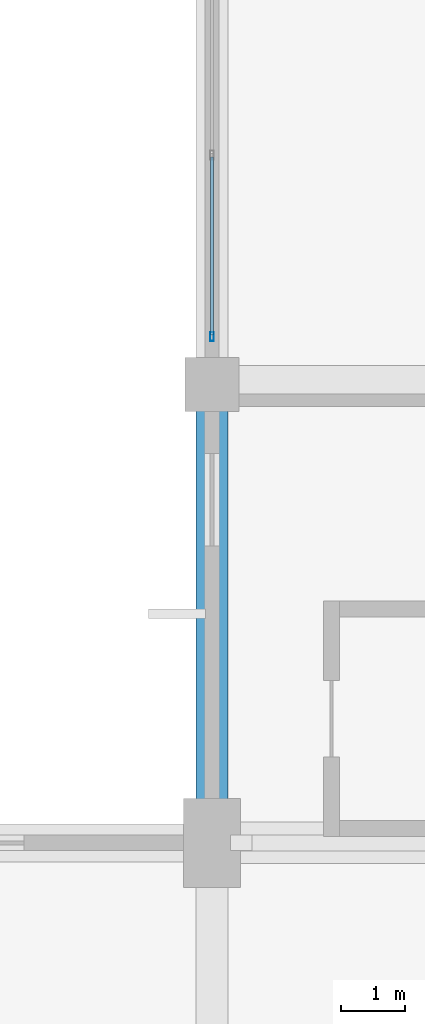
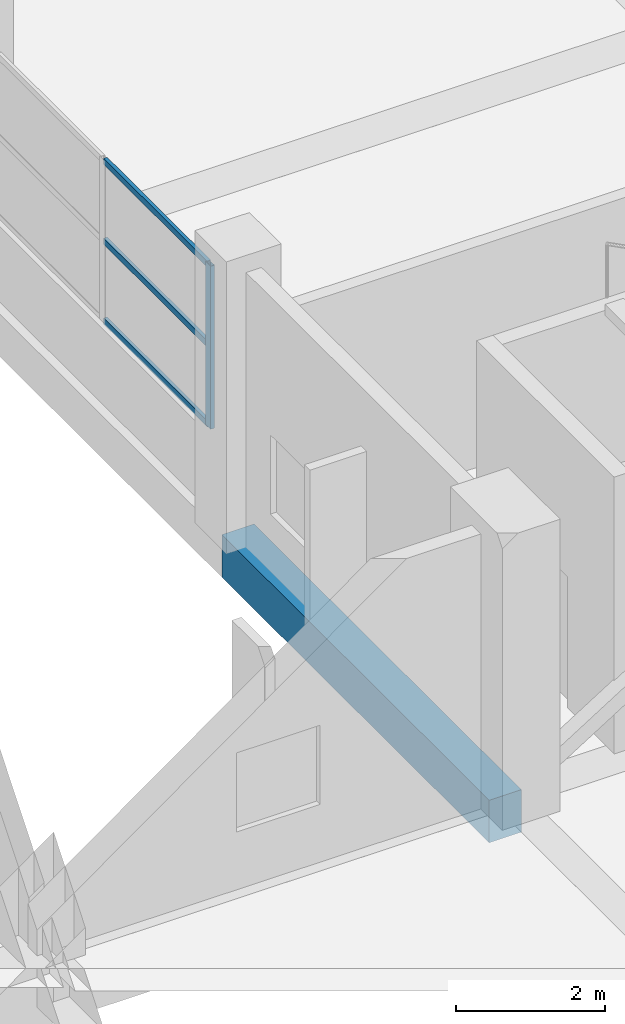
# One storey, part 65 of 181: 4 members, 1 beam, 1 element without a shape of its own.
"""IFC4 building model written with IfcOpenShell, lengths in metres."""

from ifc_helpers import new_model, si_unit, direction, frame, origin, origin_2d, place, context, subcontext, project, spatial, rectangle, hollow_rectangle, extrude, material, layer, layer_set, material_profile, profile_set, type_object, element, aggregate, save


model = new_model("IFC4")

# Units and contexts
model_context = context("Model", 3, precision=1e-05, world=origin(), true_north=direction((0.0, 1.0)))
body_context = subcontext(model_context, "Body", "Model", "MODEL_VIEW")
ifc_project = project(units=[si_unit("LENGTHUNIT", "METRE"), si_unit("AREAUNIT", "SQUARE_METRE"), si_unit("VOLUMEUNIT", "CUBIC_METRE"), si_unit("PLANEANGLEUNIT", "RADIAN"), si_unit("MASSUNIT", "GRAM", prefix="KILO")], contexts=[model_context])

# Site, building, storey
site_placement = place(None, origin())
site = spatial("IfcSite", under=ifc_project, at=site_placement, CompositionType="ELEMENT")
building_placement = place(site_placement, origin())
building = spatial("IfcBuilding", under=site, at=building_placement, Name="Seraya Terrace Polytechnic", CompositionType="ELEMENT")
storey_placement = place(building_placement, frame((0.0, 0.0, 4.800048828125)))
storey = spatial("IfcBuildingStorey", under=building, at=storey_placement, Name="L01", CompositionType="ELEMENT", Elevation=4.800048828125)

# Beam
ifc_material_1 = material(Name="Concrete C40/50", Category="concrete")
ifc_material_profile_1 = material_profile(ifc_material_1, rectangle(XDim=0.5, YDim=0.699951171875, at=origin_2d()), Name="RC 500x700")
ifc_profile_set_1 = profile_set([ifc_material_profile_1], Name="Concrete C40/50")
beam_type = type_object("IfcBeamType", Name="BM-07", PredefinedType="BEAM", material=ifc_profile_set_1)
beam_placement = place(storey_placement, frame((14.39990234375, 79.199951171875, -0.35009765625), z_axis=(0.0, 1.0, 0.0), x_axis=(-1.0, 0.0, 0.0)))
element("IfcBeam", 1, at=beam_placement, inside=storey, type_object=beam_type, Name="Beam BM-07 L01 Y (14.4, 79.2..86.4)", PredefinedType="BEAM", context=body_context, shape_type="SweptSolid", body=[
    extrude(rectangle(XDim=0.5, YDim=0.699951171875, at=origin_2d()), origin(), (0.0, 0.0, 1.0), 7.199951171875),
])

# Curtain wall, members
ifc_material_2 = material(Name="Anodised aluminium EN AW-6063 T6", Category="aluminium")
ifc_layer = layer(ifc_material_2, 0.179931640625, Name="CW-06")
ifc_layer_set = layer_set([ifc_layer], Name="Anodised aluminium EN AW-6063 T6")
curtain_wall_type = type_object("IfcCurtainWallType", Name="CW-06", PredefinedType="NOTDEFINED", material=ifc_layer_set)
curtain_wall_placement = place(storey_placement, origin())
curtain_wall = element("IfcCurtainWall", 2, at=curtain_wall_placement, inside=storey, type_object=curtain_wall_type, Name="Unitised curtain wall CW-06 (CW-L01-006)", PredefinedType="NOTDEFINED")
ifc_material_profile_2 = material_profile(ifc_material_2, hollow_rectangle(XDim=0.06005859375, YDim=0.139892578125, WallThickness=0.00341796875, at=origin_2d()), Name="RHS 140x60x3.5")
ifc_profile_set_2 = profile_set([ifc_material_profile_2], Name="Anodised aluminium EN AW-6063 T6")
member_type_1 = type_object("IfcMemberType", Name="CWM-03", PredefinedType="MULLION", material=ifc_profile_set_2)
member_1_placement = place(storey_placement, frame((14.39990234375, 87.14990234375, 1.239990234375), z_axis=(0.0, 0.0, 1.0), x_axis=(-1.0, 0.0, 0.0)))
member_1 = element("IfcMember", 3, at=member_1_placement, type_object=member_type_1, Name="CW-06 mullion 1", PredefinedType="MULLION", context=body_context, shape_type="SweptSolid", body=[
    extrude(hollow_rectangle(XDim=0.06005859375, YDim=0.139892578125, WallThickness=0.00341796875, at=origin_2d()), origin(), (0.0, 0.0, 1.0), 2.679931640625),
])
ifc_material_profile_3 = material_profile(ifc_material_2, hollow_rectangle(XDim=0.054931640625, YDim=0.10009765625, WallThickness=0.0029296875, at=origin_2d()), Name="RHS 100x55x3.0")
ifc_profile_set_3 = profile_set([ifc_material_profile_3], Name="Anodised aluminium EN AW-6063 T6")
member_type_2 = type_object("IfcMemberType", Name="CWT-03", PredefinedType="USERDEFINED", material=ifc_profile_set_3)
member_2_placement = place(storey_placement, frame((14.39990234375, 87.179931640625, 1.267333984375), z_axis=(0.0, 1.0, 0.0), x_axis=(-1.0, 0.0, 0.0)))
member_2 = element("IfcMember", 4, at=member_2_placement, type_object=member_type_2, Name="CW-06 transom 1.1", ObjectType="TRANSOM", PredefinedType="USERDEFINED", context=body_context, shape_type="SweptSolid", body=[
    extrude(hollow_rectangle(XDim=0.054931640625, YDim=0.10009765625, WallThickness=0.0029296875, at=origin_2d()), origin(), (0.0, 0.0, 1.0), 2.7900390625),
])
member_3_placement = place(storey_placement, frame((14.39990234375, 87.179931640625, 2.579833984375), z_axis=(0.0, 1.0, 0.0), x_axis=(-1.0, 0.0, 0.0)))
member_3 = element("IfcMember", 5, at=member_3_placement, type_object=member_type_2, Name="CW-06 transom 1.2", ObjectType="TRANSOM", PredefinedType="USERDEFINED", context=body_context, shape_type="SweptSolid", body=[
    extrude(hollow_rectangle(XDim=0.054931640625, YDim=0.10009765625, WallThickness=0.0029296875, at=origin_2d()), origin(), (0.0, 0.0, 1.0), 2.7900390625),
])
member_4_placement = place(storey_placement, frame((14.39990234375, 87.179931640625, 3.892333984375), z_axis=(0.0, 1.0, 0.0), x_axis=(-1.0, 0.0, 0.0)))
member_4 = element("IfcMember", 6, at=member_4_placement, type_object=member_type_2, Name="CW-06 transom 1.3", ObjectType="TRANSOM", PredefinedType="USERDEFINED", context=body_context, shape_type="SweptSolid", body=[
    extrude(hollow_rectangle(XDim=0.054931640625, YDim=0.10009765625, WallThickness=0.0029296875, at=origin_2d()), origin(), (0.0, 0.0, 1.0), 2.7900390625),
])
aggregate(curtain_wall, [member_1, member_2, member_3, member_4])

save(model, "model.ifc")
